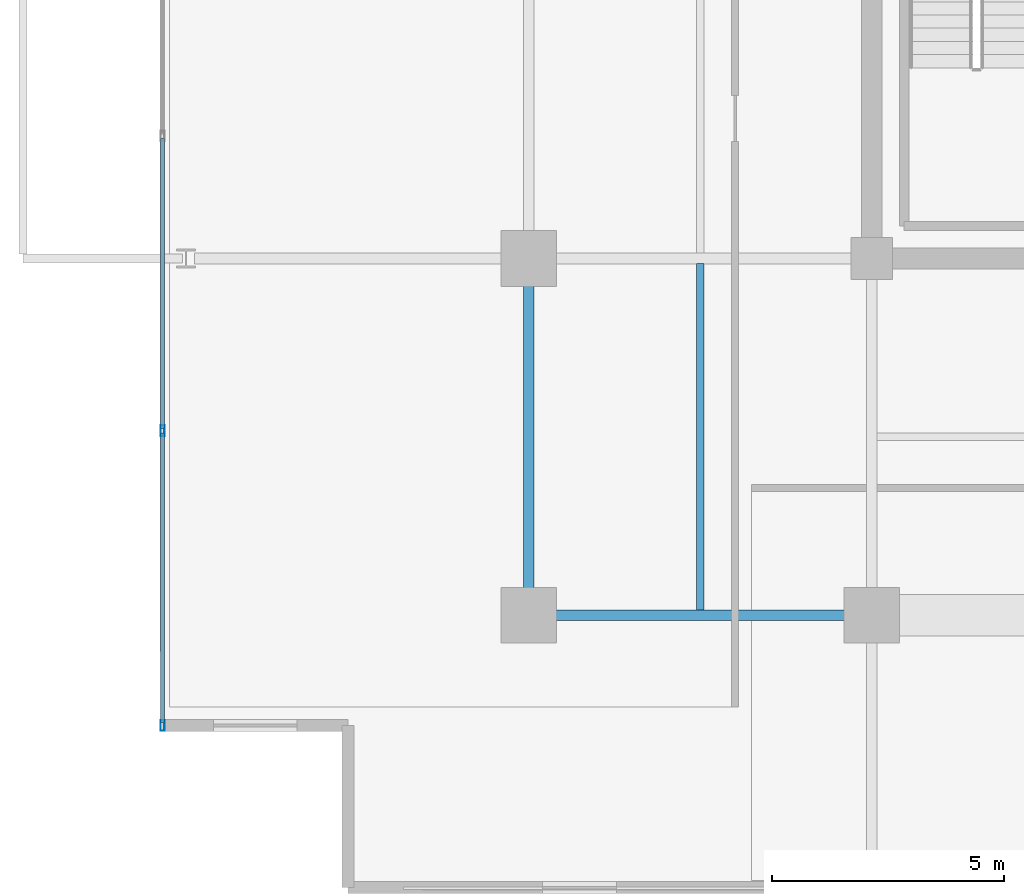
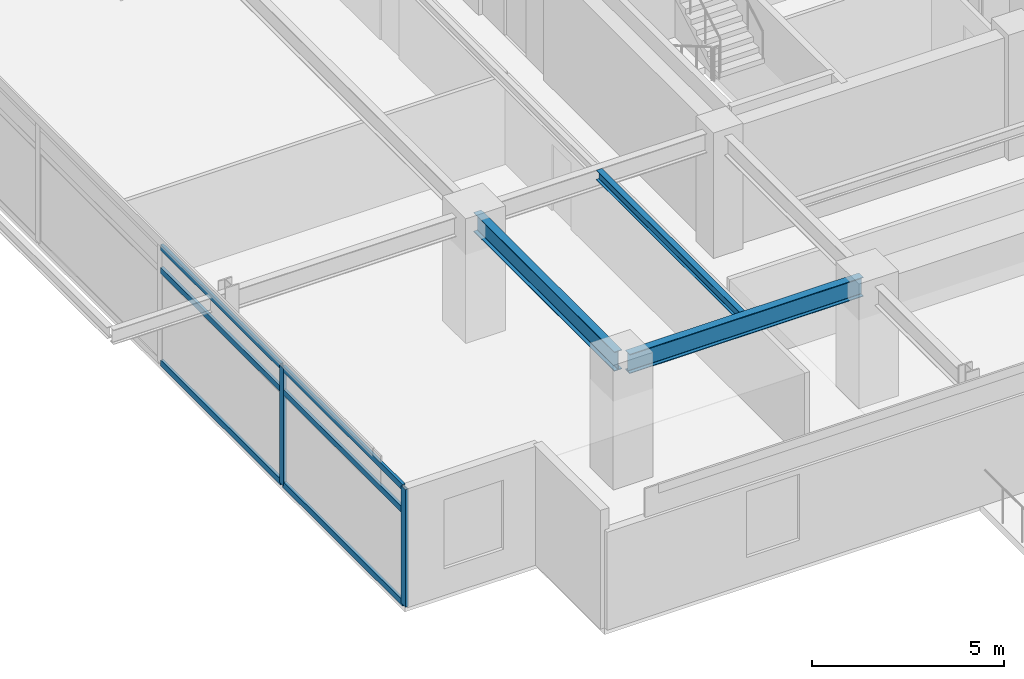
# One storey, part 2 of 23: 8 members, 3 beams, 1 element without a shape of its own.
"""IFC4 building model written with IfcOpenShell, lengths in metres."""

from ifc_helpers import new_model, si_unit, direction, frame, origin, origin_2d, place, context, subcontext, project, spatial, hollow_rectangle, i_section, extrude, material, material_profile, profile_set, type_object, element, aggregate, save


model = new_model("IFC4")

# Units and contexts
model_context = context("Model", 3, precision=1e-05, world=origin(), true_north=direction((0.0, 1.0)))
body_context = subcontext(model_context, "Body", "Model", "MODEL_VIEW")
ifc_project = project(units=[si_unit("LENGTHUNIT", "METRE"), si_unit("AREAUNIT", "SQUARE_METRE"), si_unit("VOLUMEUNIT", "CUBIC_METRE"), si_unit("PLANEANGLEUNIT", "RADIAN"), si_unit("MASSUNIT", "GRAM", prefix="KILO")], contexts=[model_context])

# Site, building, storey
site_placement = place(None, origin())
site = spatial("IfcSite", under=ifc_project, at=site_placement, CompositionType="ELEMENT")
building_placement = place(site_placement, origin())
building = spatial("IfcBuilding", under=site, at=building_placement, Name="Kovane Verandah Tower", CompositionType="ELEMENT")
storey_placement = place(building_placement, frame((0.0, 0.0, 243.199951171875)))
storey = spatial("IfcBuildingStorey", under=building, at=storey_placement, Name="L56", CompositionType="ELEMENT", Elevation=243.199951171875)

# Beams
ifc_material_1 = material(Name="Steel S355", Category="steel")
ifc_material_profile_1 = material_profile(ifc_material_1, i_section(OverallWidth=0.230224609375, OverallDepth=0.6171875, WebThickness=0.01318359375, FlangeThickness=0.022216796875, FilletRadius=0.0126953125, at=origin_2d()), Name="UB610x229x140")
ifc_profile_set_1 = profile_set([ifc_material_profile_1], Name="Steel S355")
beam_type_1 = type_object("IfcBeamType", Name="BM-UB610x140", PredefinedType="BEAM", material=ifc_profile_set_1)
beam_1_placement = place(storey_placement, frame((21.780029296875, 10.800048828125, 3.4765625), z_axis=(1.0, 0.0, 0.0), x_axis=(0.0, 1.0, 0.0)))
element("IfcBeam", 1, at=beam_1_placement, inside=storey, type_object=beam_type_1, Name="L56 Primary Tower Girder G-RS1", PredefinedType="BEAM", context=body_context, shape_type="SweptSolid", body=[
    extrude(i_section(OverallWidth=0.230224609375, OverallDepth=0.6171875, WebThickness=0.01318359375, FlangeThickness=0.022216796875, FilletRadius=0.0126953125, at=origin_2d()), origin(), (0.0, 0.0, 1.0), 7.0400390625),
])
beam_2_placement = place(storey_placement, frame((21.60009765625, 10.97998046875, 3.4765625), z_axis=(0.0, 1.0, 0.0), x_axis=(-1.0, 0.0, 0.0)))
element("IfcBeam", 2, at=beam_2_placement, inside=storey, type_object=beam_type_1, Name="L56 Primary Tower Girder G-RW1", PredefinedType="BEAM", context=body_context, shape_type="SweptSolid", body=[
    extrude(i_section(OverallWidth=0.230224609375, OverallDepth=0.6171875, WebThickness=0.01318359375, FlangeThickness=0.022216796875, FilletRadius=0.0126953125, at=origin_2d()), origin(), (0.0, 0.0, 1.0), 7.340087890625),
])

# Curtain wall, members
ifc_material_2 = material(Name="Champagne Anodised Aluminium Frame with Low-E Clear Laminated Glass", Category="aluminium")
curtain_wall_type = type_object("IfcCurtainWallType", Name="CW-SYS-05-HIGH", PredefinedType="NOTDEFINED", material=ifc_material_2)
curtain_wall_placement = place(storey_placement, origin())
curtain_wall = element("IfcCurtainWall", 3, at=curtain_wall_placement, inside=storey, type_object=curtain_wall_type, Name="L56 W Unitised Curtain Wall", PredefinedType="NOTDEFINED")
ifc_material_3 = material(Name="Champagne Anodised Aluminium 6063-T6", Category="aluminium")
ifc_material_profile_2 = material_profile(ifc_material_3, hollow_rectangle(XDim=0.0849609375, YDim=0.22998046875, WallThickness=0.00390625, at=origin_2d()), Name="AL85x230x4")
ifc_profile_set_2 = profile_set([ifc_material_profile_2], Name="Champagne Anodised Aluminium 6063-T6")
member_type_1 = type_object("IfcMemberType", Name="CW-MUL-85x230", PredefinedType="MULLION", material=ifc_profile_set_2)
member_1_placement = place(storey_placement, frame((13.6923828125, 14.780029296875, 0.02001953125), z_axis=(0.0, 0.0, 1.0), x_axis=(-1.0, 0.0, 0.0)))
member_1 = element("IfcMember", 4, at=member_1_placement, type_object=member_type_1, Name="L56 W Unitised Curtain Wall Mullion 6", PredefinedType="MULLION", context=body_context, shape_type="SweptSolid", body=[
    extrude(hollow_rectangle(XDim=0.0849609375, YDim=0.22998046875, WallThickness=0.00390625, at=origin_2d()), origin(), (0.0, 0.0, 1.0), 3.7451171875),
])
member_2_placement = place(storey_placement, frame((13.6923828125, 8.419921875, 0.02001953125), z_axis=(0.0, 0.0, 1.0), x_axis=(-1.0, 0.0, 0.0)))
member_2 = element("IfcMember", 5, at=member_2_placement, type_object=member_type_1, Name="L56 W Unitised Curtain Wall Mullion 7", PredefinedType="MULLION", context=body_context, shape_type="SweptSolid", body=[
    extrude(hollow_rectangle(XDim=0.0849609375, YDim=0.22998046875, WallThickness=0.00390625, at=origin_2d()), origin(), (0.0, 0.0, 1.0), 3.7451171875),
])
ifc_material_profile_3 = material_profile(ifc_material_3, hollow_rectangle(XDim=0.0849609375, YDim=0.18994140625, WallThickness=0.00390625, at=origin_2d()), Name="AL85x190x4")
ifc_profile_set_3 = profile_set([ifc_material_profile_3], Name="Champagne Anodised Aluminium 6063-T6")
member_type_2 = type_object("IfcMemberType", Name="CW-TRN-85x190", PredefinedType="USERDEFINED", material=ifc_profile_set_3)
member_3_placement = place(storey_placement, frame((13.6923828125, 21.090087890625, 0.050048828125), z_axis=(0.0, -1.0, 0.0), x_axis=(1.0, 0.0, 0.0)))
member_3 = element("IfcMember", 6, at=member_3_placement, type_object=member_type_2, Name="L56 W Unitised Curtain Wall Transom TB Bay 5", ObjectType="TRANSOM", PredefinedType="USERDEFINED", context=body_context, shape_type="SweptSolid", body=[
    extrude(hollow_rectangle(XDim=0.0849609375, YDim=0.18994140625, WallThickness=0.00390625, at=origin_2d()), origin(), (0.0, 0.0, 1.0), 6.260009765625),
])
member_4_placement = place(storey_placement, frame((13.6923828125, 21.090087890625, 3.005126953125), z_axis=(0.0, -1.0, 0.0), x_axis=(1.0, 0.0, 0.0)))
member_4 = element("IfcMember", 7, at=member_4_placement, type_object=member_type_2, Name="L56 W Unitised Curtain Wall Transom TM Bay 5", ObjectType="TRANSOM", PredefinedType="USERDEFINED", context=body_context, shape_type="SweptSolid", body=[
    extrude(hollow_rectangle(XDim=0.0849609375, YDim=0.18994140625, WallThickness=0.00390625, at=origin_2d()), origin(), (0.0, 0.0, 1.0), 6.260009765625),
])
member_5_placement = place(storey_placement, frame((13.6923828125, 21.090087890625, 3.735107421875), z_axis=(0.0, -1.0, 0.0), x_axis=(1.0, 0.0, 0.0)))
member_5 = element("IfcMember", 8, at=member_5_placement, type_object=member_type_2, Name="L56 W Unitised Curtain Wall Transom TT Bay 5", ObjectType="TRANSOM", PredefinedType="USERDEFINED", context=body_context, shape_type="SweptSolid", body=[
    extrude(hollow_rectangle(XDim=0.0849609375, YDim=0.18994140625, WallThickness=0.00390625, at=origin_2d()), origin(), (0.0, 0.0, 1.0), 6.260009765625),
])
member_6_placement = place(storey_placement, frame((13.6923828125, 14.72998046875, 0.050048828125), z_axis=(0.0, -1.0, 0.0), x_axis=(1.0, 0.0, 0.0)))
member_6 = element("IfcMember", 9, at=member_6_placement, type_object=member_type_2, Name="L56 W Unitised Curtain Wall Transom TB Bay 6", ObjectType="TRANSOM", PredefinedType="USERDEFINED", context=body_context, shape_type="SweptSolid", body=[
    extrude(hollow_rectangle(XDim=0.0849609375, YDim=0.18994140625, WallThickness=0.00390625, at=origin_2d()), origin(), (0.0, 0.0, 1.0), 6.260009765625),
])
member_7_placement = place(storey_placement, frame((13.6923828125, 14.72998046875, 3.005126953125), z_axis=(0.0, -1.0, 0.0), x_axis=(1.0, 0.0, 0.0)))
member_7 = element("IfcMember", 10, at=member_7_placement, type_object=member_type_2, Name="L56 W Unitised Curtain Wall Transom TM Bay 6", ObjectType="TRANSOM", PredefinedType="USERDEFINED", context=body_context, shape_type="SweptSolid", body=[
    extrude(hollow_rectangle(XDim=0.0849609375, YDim=0.18994140625, WallThickness=0.00390625, at=origin_2d()), origin(), (0.0, 0.0, 1.0), 6.260009765625),
])
member_8_placement = place(storey_placement, frame((13.6923828125, 14.72998046875, 3.735107421875), z_axis=(0.0, -1.0, 0.0), x_axis=(1.0, 0.0, 0.0)))
member_8 = element("IfcMember", 11, at=member_8_placement, type_object=member_type_2, Name="L56 W Unitised Curtain Wall Transom TT Bay 6", ObjectType="TRANSOM", PredefinedType="USERDEFINED", context=body_context, shape_type="SweptSolid", body=[
    extrude(hollow_rectangle(XDim=0.0849609375, YDim=0.18994140625, WallThickness=0.00390625, at=origin_2d()), origin(), (0.0, 0.0, 1.0), 6.260009765625),
])
aggregate(curtain_wall, [member_1, member_2, member_3, member_4, member_5, member_6, member_7, member_8])

# Beam
ifc_material_profile_4 = material_profile(ifc_material_1, i_section(OverallWidth=0.1669921875, OverallDepth=0.310302734375, WebThickness=0.0078125, FlangeThickness=0.013671875, FilletRadius=0.0087890625, at=origin_2d()), Name="UB305x165x54")
ifc_profile_set_4 = profile_set([ifc_material_profile_4], Name="Steel S355")
beam_type_2 = type_object("IfcBeamType", Name="JST-UB305x54", PredefinedType="JOIST", material=ifc_profile_set_4)
beam_3_placement = place(storey_placement, frame((25.300048828125, 10.9130859375, 3.6298828125), z_axis=(0.0, 1.0, 0.0), x_axis=(-1.0, 0.0, 0.0)))
element("IfcBeam", 12, at=beam_3_placement, inside=storey, type_object=beam_type_2, Name="L56 Secondary Composite Joist J-SW1", PredefinedType="JOIST", context=body_context, shape_type="SweptSolid", body=[
    extrude(i_section(OverallWidth=0.1669921875, OverallDepth=0.310302734375, WebThickness=0.0078125, FlangeThickness=0.013671875, FilletRadius=0.0087890625, at=origin_2d()), origin(), (0.0, 0.0, 1.0), 7.473876953125),
])

save(model, "model.ifc")
